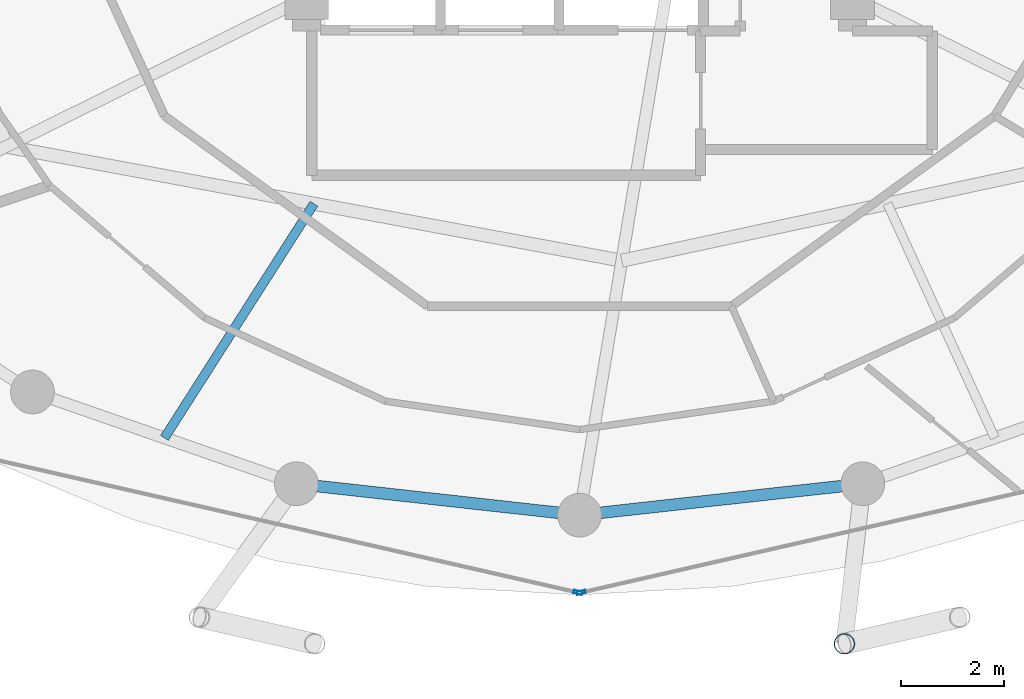
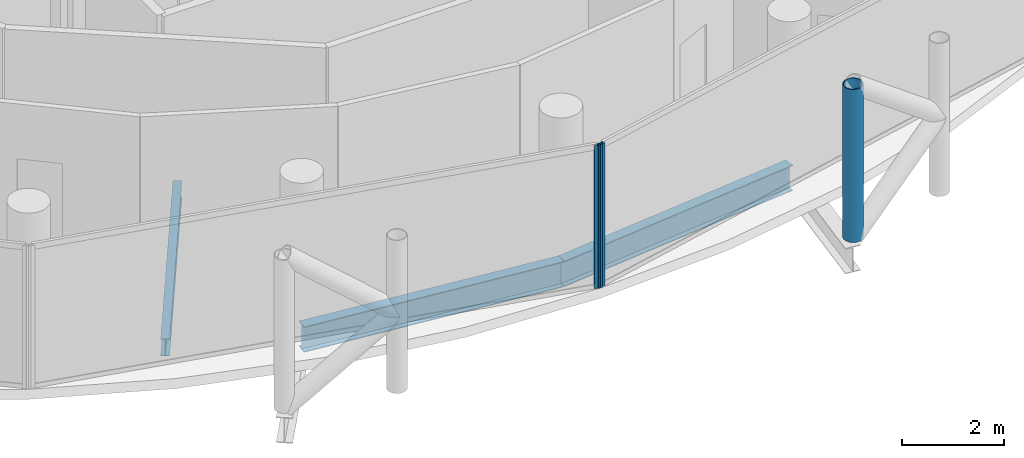
# One storey, part 5 of 27: 3 beams, 3 members, 2 elements without a shape of their own.
"""IFC4 building model written with IfcOpenShell, lengths in metres."""

from ifc_helpers import new_model, si_unit, direction, frame, origin, origin_2d, place, context, subcontext, project, spatial, hollow_rectangle, hollow_circle, i_section, extrude, material, layer, layer_set, material_profile, profile_set, type_object, element, aggregate, save


model = new_model("IFC4")

# Units and contexts
model_context = context("Model", 3, precision=1e-05, world=origin(), true_north=direction((0.0, 1.0)))
body_context = subcontext(model_context, "Body", "Model", "MODEL_VIEW")
ifc_project = project(units=[si_unit("LENGTHUNIT", "METRE"), si_unit("AREAUNIT", "SQUARE_METRE"), si_unit("VOLUMEUNIT", "CUBIC_METRE"), si_unit("PLANEANGLEUNIT", "RADIAN"), si_unit("MASSUNIT", "GRAM", prefix="KILO")], contexts=[model_context])

# Site, building, storey
site_placement = place(None, origin())
site = spatial("IfcSite", under=ifc_project, at=site_placement, CompositionType="ELEMENT")
building_placement = place(site_placement, origin())
building = spatial("IfcBuilding", under=site, at=building_placement, Name="Nuhasar Tower", CompositionType="ELEMENT")
storey_placement = place(building_placement, frame((0.0, 0.0, 233.699951171875)))
storey = spatial("IfcBuildingStorey", under=building, at=storey_placement, Name="L57", CompositionType="ELEMENT", Elevation=233.699951171875)

# Beams
ifc_material_1 = material(Name="Steel S355", Category="steel")
ifc_material_profile_1 = material_profile(ifc_material_1, i_section(OverallWidth=0.177978515625, OverallDepth=0.406005859375, WebThickness=0.0078125, FlangeThickness=0.0126953125, at=origin_2d()), Name="W16X40")
ifc_profile_set_1 = profile_set([ifc_material_profile_1], Name="Steel S355")
beam_type_1 = type_object("IfcBeamType", Name="BM-JST-W16X40", PredefinedType="JOIST", material=ifc_profile_set_1)
beam_placement = place(storey_placement, frame((33.842041015625, 14.998046875, -0.44287109375), z_axis=(-0.538168818546, -0.842837067733, 0.0), x_axis=(0.842837067733, -0.538168818546, 0.0)))
element("IfcBeam", 1, at=beam_placement, inside=storey, type_object=beam_type_1, Name="L57 Secondary Floor Joist 01", PredefinedType="JOIST", context=body_context, shape_type="SweptSolid", body=[
    extrude(i_section(OverallWidth=0.177978515625, OverallDepth=0.406005859375, WebThickness=0.0078125, FlangeThickness=0.0126953125, at=origin_2d()), origin(), (0.0, 0.0, 1.0), 5.396240234375),
])
ifc_material_profile_2 = material_profile(ifc_material_1, i_section(OverallWidth=0.22802734375, OverallDepth=0.60791015625, WebThickness=0.01123046875, FlangeThickness=0.017333984375, at=origin_2d()), Name="W24X76")
ifc_profile_set_2 = profile_set([ifc_material_profile_2], Name="Steel S355")
beam_type_2 = type_object("IfcBeamType", Name="BM-RING-W24X76", PredefinedType="SPANDREL", material=ifc_profile_set_2)
for number, where, z_axis, x_axis, name in (
    (2, (33.5, 9.55810546875, -0.5439453125), (0.993942242238, -0.109903680993, 0.0), (0.109903680993, 0.993942242238, 0.0), "L57 Perimeter Ring Spandrel 18"),
    (3, (39.0, 8.949951171875, -0.5439453125), (0.993942242238, 0.109903680993, 0.0), (-0.109903680993, 0.993942242238, 0.0), "L57 Perimeter Ring Spandrel 19"),
):
    element("IfcBeam", number, at=place(storey_placement, frame(where, z_axis=z_axis, x_axis=x_axis)), inside=storey, type_object=beam_type_2, Name=name, PredefinedType="SPANDREL", context=body_context, shape_type="SweptSolid", body=[
        extrude(i_section(OverallWidth=0.22802734375, OverallDepth=0.60791015625, WebThickness=0.01123046875, FlangeThickness=0.017333984375, at=origin_2d()), origin(), (0.0, 0.0, 1.0), 5.533447265625),
    ])

# Curtain wall, member
ifc_material_2 = material(Name="Aluminium 6063-T6", Category="aluminium")
ifc_layer = layer(ifc_material_2, 0.18994140625)
ifc_layer_set = layer_set([ifc_layer], Name="Aluminium 6063-T6")
curtain_wall_type = type_object("IfcCurtainWallType", Name="CW-Z3-RES", PredefinedType="NOTDEFINED", material=ifc_layer_set)
curtain_wall_1_placement = place(storey_placement, origin())
curtain_wall_1 = element("IfcCurtainWall", 4, at=curtain_wall_1_placement, inside=storey, type_object=curtain_wall_type, Name="L57 Unitised Curtain Wall 09", PredefinedType="NOTDEFINED")
ifc_material_profile_3 = material_profile(ifc_material_2, hollow_rectangle(XDim=0.06494140625, YDim=0.169921875, WallThickness=0.0048828125, at=origin_2d()), Name="CWM-4")
ifc_profile_set_3 = profile_set([ifc_material_profile_3], Name="Aluminium 6063-T6")
member_type_1 = type_object("IfcMemberType", Name="CW-MUL-S4", PredefinedType="MULLION", material=ifc_profile_set_3)
member_1_placement = place(storey_placement, frame((38.96826171875, 7.447265625, 0.0), z_axis=(0.0, 0.0, 1.0), x_axis=(0.222243176313, 0.974991266926, 0.0)))
member_1 = element("IfcMember", 5, at=member_1_placement, type_object=member_type_1, Name="CW-Z3 mullion 2", PredefinedType="MULLION", context=body_context, shape_type="SweptSolid", body=[
    extrude(hollow_rectangle(XDim=0.06494140625, YDim=0.169921875, WallThickness=0.0048828125, at=origin_2d()), origin(), (0.0, 0.0, 1.0), 3.41015625),
])
aggregate(curtain_wall_1, [member_1])

curtain_wall_2_placement = place(storey_placement, origin())
curtain_wall_2 = element("IfcCurtainWall", 6, at=curtain_wall_2_placement, inside=storey, type_object=curtain_wall_type, Name="L57 Unitised Curtain Wall 10", PredefinedType="NOTDEFINED")
member_2_placement = place(storey_placement, frame((39.03173828125, 7.447265625, 0.0), z_axis=(0.0, 0.0, 1.0), x_axis=(-0.222243176313, 0.974991266926, 0.0)))
member_2 = element("IfcMember", 7, at=member_2_placement, type_object=member_type_1, Name="CW-Z3 mullion 1", PredefinedType="MULLION", context=body_context, shape_type="SweptSolid", body=[
    extrude(hollow_rectangle(XDim=0.06494140625, YDim=0.169921875, WallThickness=0.0048828125, at=origin_2d()), origin(), (0.0, 0.0, 1.0), 3.41015625),
])
aggregate(curtain_wall_2, [member_2])

# Member
ifc_material_3 = material(Name="Steel S460", Category="steel")
ifc_material_profile_4 = material_profile(ifc_material_3, hollow_circle(Radius=0.203125, WallThickness=0.01904296875, at=origin_2d()), Name="HSS406.4X19.1")
ifc_profile_set_4 = profile_set([ifc_material_profile_4], Name="Steel S460")
member_type_2 = type_object("IfcMemberType", Name="EXO-BRONZE-406", PredefinedType="BRACE", material=ifc_profile_set_4)
member_3_placement = place(storey_placement, frame((44.14306640625, 6.450927734375, 0.0), z_axis=(0.0, 0.0, 1.0), x_axis=(1.0, 0.0, 0.0)))
element("IfcMember", 8, at=member_3_placement, inside=storey, type_object=member_type_2, Name="L57 Exoskeleton Chord Column EC-10A", PredefinedType="BRACE", context=body_context, shape_type="SweptSolid", body=[
    extrude(hollow_circle(Radius=0.203125, WallThickness=0.01904296875, at=origin_2d()), origin(), (0.0, 0.0, 1.0), 3.650146484375),
])

save(model, "model.ifc")
